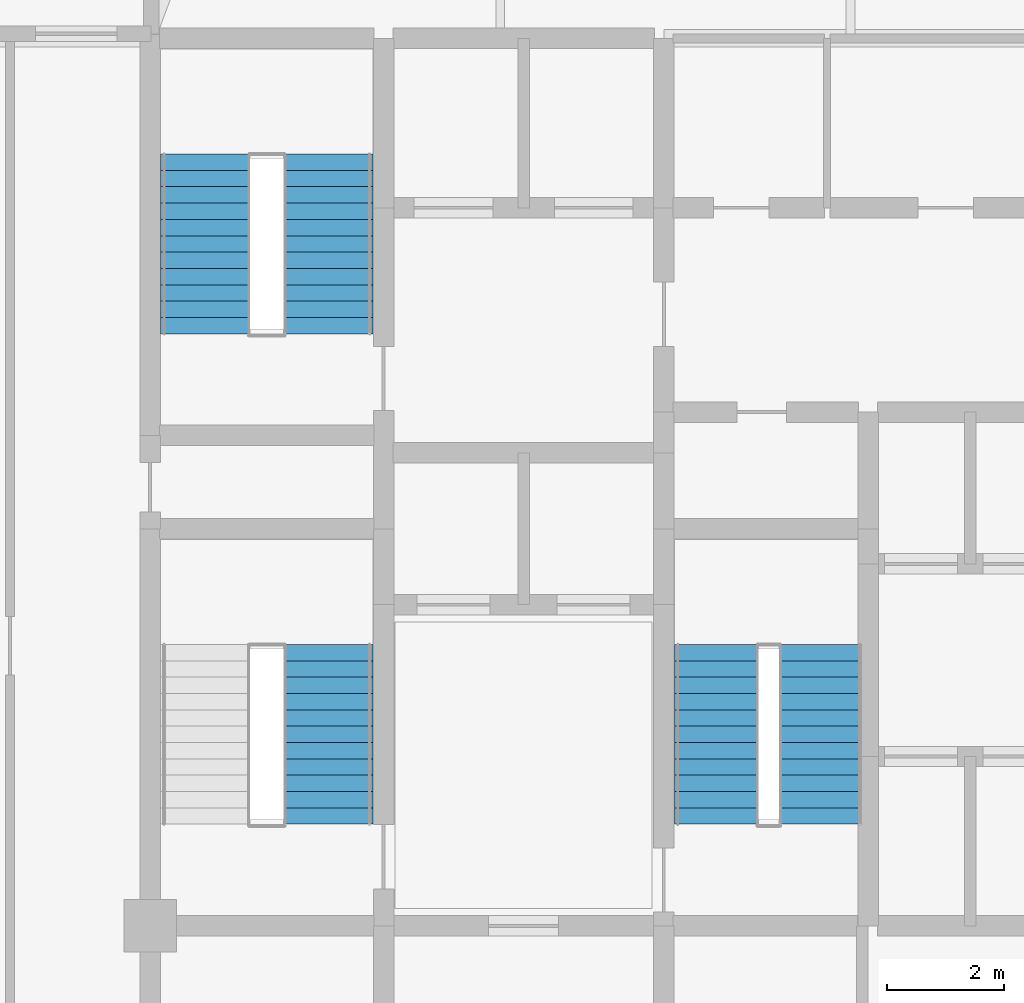
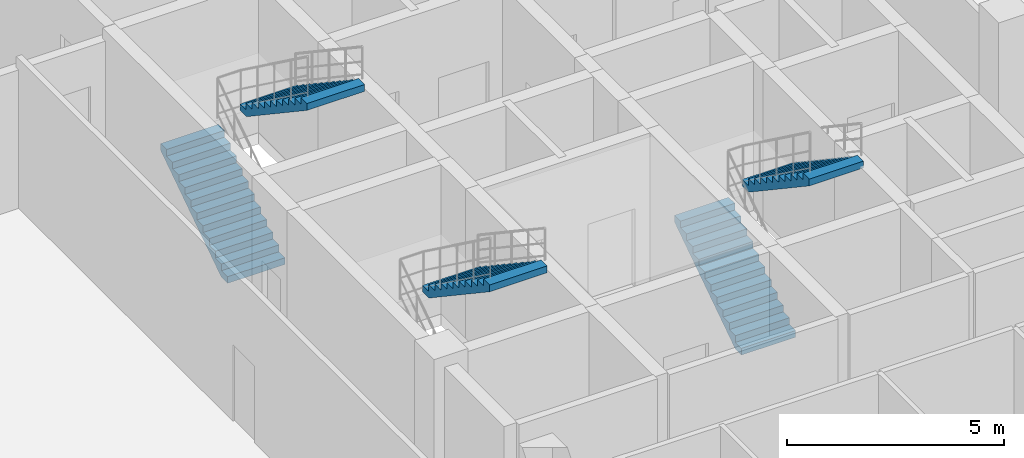
# One storey, part 30 of 31: 5 stair flights, 3 elements without a shape of their own.
"""IFC4 building model written with IfcOpenShell, lengths in metres."""

from ifc_helpers import new_model, si_unit, direction, frame, origin, place, context, subcontext, project, spatial, polyline, outline, extrude, material, type_object, element, aggregate, save


model = new_model("IFC4")

# Units and contexts
model_context = context("Model", 3, precision=1e-05, world=origin(), true_north=direction((0.0, 1.0)))
body_context = subcontext(model_context, "Body", "Model", "MODEL_VIEW")
ifc_project = project(units=[si_unit("LENGTHUNIT", "METRE"), si_unit("AREAUNIT", "SQUARE_METRE"), si_unit("VOLUMEUNIT", "CUBIC_METRE"), si_unit("PLANEANGLEUNIT", "RADIAN"), si_unit("MASSUNIT", "GRAM", prefix="KILO")], contexts=[model_context])

# Site, building, storey
site_placement = place(None, origin())
site = spatial("IfcSite", under=ifc_project, at=site_placement, CompositionType="ELEMENT")
building_placement = place(site_placement, origin())
building = spatial("IfcBuilding", under=site, at=building_placement, Name="Keshet Zoharim Tower", CompositionType="ELEMENT")
storey_placement = place(building_placement, frame((0.0, 0.0, 183.89990234375)))
storey = spatial("IfcBuildingStorey", under=building, at=storey_placement, Name="L45", CompositionType="ELEMENT", Elevation=183.89990234375)

# Stair, stair flight
ifc_material = material(Name="Concrete C50/60", Category="concrete")
stair_type = type_object("IfcStairType", Name="STR-EXIT-135", PredefinedType="HALF_TURN_STAIR", material=ifc_material)
stair_1_placement = place(storey_placement, origin())
stair_1 = element("IfcStair", 1, at=stair_1_placement, inside=storey, type_object=stair_type, Name="L45 Enclosed Exit Stair ST-01", PredefinedType="HALF_TURN_STAIR")
stair_flight_type_1 = type_object("IfcStairFlightType", Name="FLT-PRE-135", PredefinedType="STRAIGHT", material=ifc_material)
stair_flight_1_placement = place(storey_placement, frame((18.054931640625, 27.52001953125, 2.25), z_axis=(0.0, 0.0, 1.0), x_axis=(0.0, -1.0, 0.0)))
stair_flight_1 = element("IfcStairFlight", 2, at=stair_flight_1_placement, type_object=stair_flight_type_1, Name="ST-01 flight 2", NumberOfRisers=12, NumberOfTreads=11, PredefinedType="STRAIGHT", RiserHeight=0.1875, TreadLength=0.28, context=body_context, shape_type="SweptSolid", body=[
    extrude(outline(polyline([(0.0, 0.0), (0.0, 0.1875), (0.280029296875, 0.1875), (0.280029296875, 0.375), (0.56005859375, 0.375), (0.56005859375, 0.5625), (0.840087890625, 0.5625), (0.840087890625, 0.75), (1.1201171875, 0.75), (1.1201171875, 0.9375), (1.39990234375, 0.9375), (1.39990234375, 1.125), (1.679931640625, 1.125), (1.679931640625, 1.3125), (1.9599609375, 1.3125), (1.9599609375, 1.5), (2.239990234375, 1.5), (2.239990234375, 1.6875), (2.52001953125, 1.6875), (2.52001953125, 1.875), (2.800048828125, 1.875), (2.800048828125, 2.0625), (3.080078125, 2.0625), (3.080078125, 2.25), (3.080078125, 1.8701171875), (0.287353515625, 0.0), (0.0, 0.0)])), frame((0.0, 0.76513671875, 0.0), z_axis=(0.0, -1.0, 0.0), x_axis=(1.0, 0.0, 0.0)), (0.0, 0.0, 1.0), 1.530029296875),
])
aggregate(stair_1, [stair_flight_1])

# Stair, stair flights
stair_2_placement = place(storey_placement, origin())
stair_2 = element("IfcStair", 3, at=stair_2_placement, inside=storey, type_object=stair_type, Name="L45 Enclosed Exit Stair ST-02", PredefinedType="HALF_TURN_STAIR")
stair_flight_2_placement = place(storey_placement, frame((15.945068359375, 32.840087890625, 0.0), z_axis=(0.0, 0.0, 1.0), x_axis=(0.0, 1.0, 0.0)))
stair_flight_2 = element("IfcStairFlight", 4, at=stair_flight_2_placement, type_object=stair_flight_type_1, Name="ST-02 flight 1", NumberOfRisers=12, NumberOfTreads=11, PredefinedType="STRAIGHT", RiserHeight=0.1875, TreadLength=0.28, context=body_context, shape_type="SweptSolid", body=[
    extrude(outline(polyline([(0.0, 0.0), (0.0, 0.1875), (0.280029296875, 0.1875), (0.280029296875, 0.375), (0.56005859375, 0.375), (0.56005859375, 0.5625), (0.840087890625, 0.5625), (0.840087890625, 0.75), (1.1201171875, 0.75), (1.1201171875, 0.9375), (1.39990234375, 0.9375), (1.39990234375, 1.125), (1.679931640625, 1.125), (1.679931640625, 1.3125), (1.9599609375, 1.3125), (1.9599609375, 1.5), (2.239990234375, 1.5), (2.239990234375, 1.6875), (2.52001953125, 1.6875), (2.52001953125, 1.875), (2.800048828125, 1.875), (2.800048828125, 2.0625), (3.080078125, 2.0625), (3.080078125, 2.25), (3.080078125, 1.8701171875), (0.287353515625, 0.0), (0.0, 0.0)])), frame((0.0, 0.76513671875, 0.0), z_axis=(0.0, -1.0, 0.0), x_axis=(1.0, 0.0, 0.0)), (0.0, 0.0, 1.0), 1.530029296875),
])
stair_flight_3_placement = place(storey_placement, frame((18.054931640625, 35.919921875, 2.25), z_axis=(0.0, 0.0, 1.0), x_axis=(0.0, -1.0, 0.0)))
stair_flight_3 = element("IfcStairFlight", 5, at=stair_flight_3_placement, type_object=stair_flight_type_1, Name="ST-02 flight 2", NumberOfRisers=12, NumberOfTreads=11, PredefinedType="STRAIGHT", RiserHeight=0.1875, TreadLength=0.28, context=body_context, shape_type="SweptSolid", body=[
    extrude(outline(polyline([(0.0, 0.0), (0.0, 0.1875), (0.280029296875, 0.1875), (0.280029296875, 0.375), (0.56005859375, 0.375), (0.56005859375, 0.5625), (0.840087890625, 0.5625), (0.840087890625, 0.75), (1.1201171875, 0.75), (1.1201171875, 0.9375), (1.39990234375, 0.9375), (1.39990234375, 1.125), (1.679931640625, 1.125), (1.679931640625, 1.3125), (1.9599609375, 1.3125), (1.9599609375, 1.5), (2.239990234375, 1.5), (2.239990234375, 1.6875), (2.52001953125, 1.6875), (2.52001953125, 1.875), (2.800048828125, 1.875), (2.800048828125, 2.0625), (3.080078125, 2.0625), (3.080078125, 2.25), (3.080078125, 1.8701171875), (0.287353515625, 0.0), (0.0, 0.0)])), frame((0.0, 0.76513671875, 0.0), z_axis=(0.0, -1.0, 0.0), x_axis=(1.0, 0.0, 0.0)), (0.0, 0.0, 1.0), 1.530029296875),
])
aggregate(stair_2, [stair_flight_2, stair_flight_3])

stair_3_placement = place(storey_placement, origin())
stair_3 = element("IfcStair", 6, at=stair_3_placement, inside=storey, type_object=stair_type, Name="L45 Enclosed Exit Stair ST-03", PredefinedType="HALF_TURN_STAIR")
stair_flight_type_2 = type_object("IfcStairFlightType", Name="FLT-PRE-144", PredefinedType="STRAIGHT", material=ifc_material)
stair_flight_4_placement = place(storey_placement, frame((24.699951171875, 24.43994140625, 0.0), z_axis=(0.0, 0.0, 1.0), x_axis=(0.0, 1.0, 0.0)))
stair_flight_4 = element("IfcStairFlight", 7, at=stair_flight_4_placement, type_object=stair_flight_type_2, Name="ST-03 flight 1", NumberOfRisers=12, NumberOfTreads=11, PredefinedType="STRAIGHT", RiserHeight=0.1875, TreadLength=0.28, context=body_context, shape_type="SweptSolid", body=[
    extrude(outline(polyline([(0.0, 0.0), (0.0, 0.1875), (0.280029296875, 0.1875), (0.280029296875, 0.375), (0.56005859375, 0.375), (0.56005859375, 0.5625), (0.840087890625, 0.5625), (0.840087890625, 0.75), (1.1201171875, 0.75), (1.1201171875, 0.9375), (1.39990234375, 0.9375), (1.39990234375, 1.125), (1.679931640625, 1.125), (1.679931640625, 1.3125), (1.9599609375, 1.3125), (1.9599609375, 1.5), (2.239990234375, 1.5), (2.239990234375, 1.6875), (2.52001953125, 1.6875), (2.52001953125, 1.875), (2.800048828125, 1.875), (2.800048828125, 2.0625), (3.080078125, 2.0625), (3.080078125, 2.25), (3.080078125, 1.8701171875), (0.287353515625, 0.0), (0.0, 0.0)])), frame((0.0, 0.719970703125, 0.0), z_axis=(0.0, -1.0, 0.0), x_axis=(1.0, 0.0, 0.0)), (0.0, 0.0, 1.0), 1.43994140625),
])
stair_flight_5_placement = place(storey_placement, frame((26.5, 27.52001953125, 2.25), z_axis=(0.0, 0.0, 1.0), x_axis=(0.0, -1.0, 0.0)))
stair_flight_5 = element("IfcStairFlight", 8, at=stair_flight_5_placement, type_object=stair_flight_type_2, Name="ST-03 flight 2", NumberOfRisers=12, NumberOfTreads=11, PredefinedType="STRAIGHT", RiserHeight=0.1875, TreadLength=0.28, context=body_context, shape_type="SweptSolid", body=[
    extrude(outline(polyline([(0.0, 0.0), (0.0, 0.1875), (0.280029296875, 0.1875), (0.280029296875, 0.375), (0.56005859375, 0.375), (0.56005859375, 0.5625), (0.840087890625, 0.5625), (0.840087890625, 0.75), (1.1201171875, 0.75), (1.1201171875, 0.9375), (1.39990234375, 0.9375), (1.39990234375, 1.125), (1.679931640625, 1.125), (1.679931640625, 1.3125), (1.9599609375, 1.3125), (1.9599609375, 1.5), (2.239990234375, 1.5), (2.239990234375, 1.6875), (2.52001953125, 1.6875), (2.52001953125, 1.875), (2.800048828125, 1.875), (2.800048828125, 2.0625), (3.080078125, 2.0625), (3.080078125, 2.25), (3.080078125, 1.8701171875), (0.287353515625, 0.0), (0.0, 0.0)])), frame((0.0, 0.719970703125, 0.0), z_axis=(0.0, -1.0, 0.0), x_axis=(1.0, 0.0, 0.0)), (0.0, 0.0, 1.0), 1.43994140625),
])
aggregate(stair_3, [stair_flight_4, stair_flight_5])

save(model, "model.ifc")
